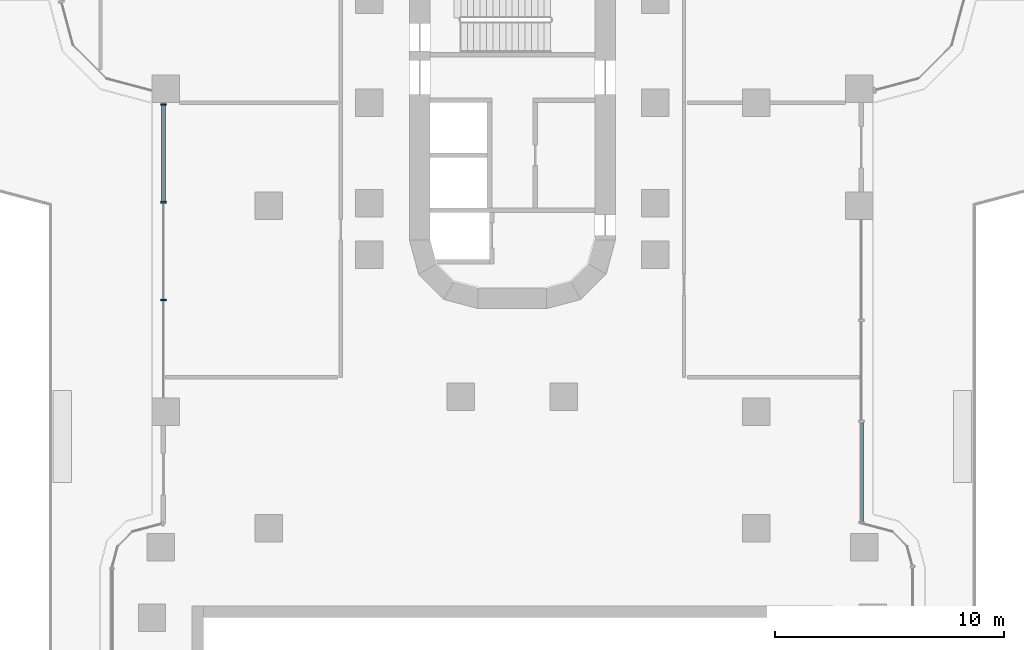
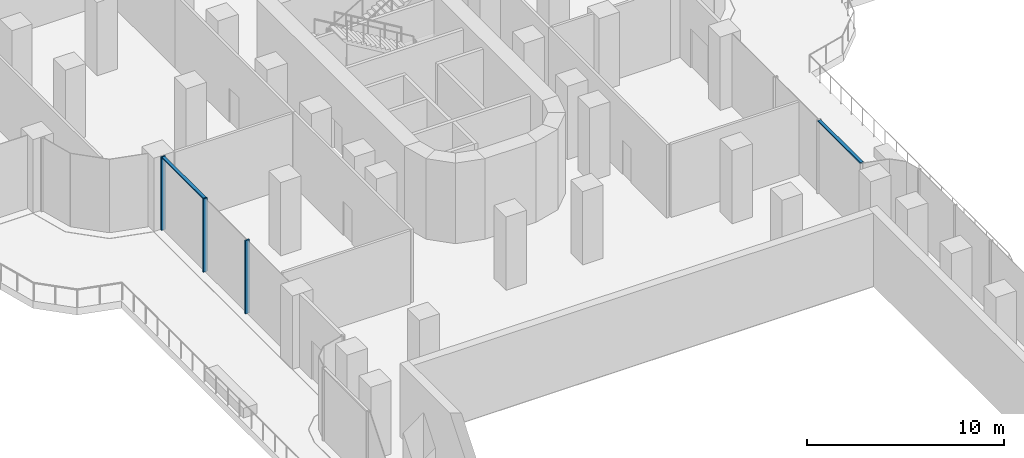
# One storey, part 3 of 27: 5 members, 2 elements without a shape of their own.
"""IFC4 building model written with IfcOpenShell, lengths in metres."""

from ifc_helpers import new_model, si_unit, direction, frame, origin, place, context, subcontext, project, spatial, polyline, outline, extrude, source, transform, mapped, material, type_object, element, aggregate, save


model = new_model("IFC4")

# Units and contexts
model_context = context("Model", 3, precision=1e-05, world=origin(), true_north=direction((0.0, 1.0)))
body_context = subcontext(model_context, "Body", "Model", "MODEL_VIEW")
ifc_project = project(units=[si_unit("LENGTHUNIT", "METRE"), si_unit("AREAUNIT", "SQUARE_METRE"), si_unit("VOLUMEUNIT", "CUBIC_METRE"), si_unit("PLANEANGLEUNIT", "RADIAN"), si_unit("MASSUNIT", "GRAM", prefix="KILO")], contexts=[model_context])

# Site, building, storey
site_placement = place(None, origin())
site = spatial("IfcSite", under=ifc_project, at=site_placement, CompositionType="ELEMENT")
building_placement = place(site_placement, origin())
building = spatial("IfcBuilding", under=site, at=building_placement, Name="Zarbagh Exchange Tower", CompositionType="ELEMENT")
storey_placement = place(building_placement, frame((0.0, 0.0, 17.0)))
storey = spatial("IfcBuildingStorey", under=building, at=storey_placement, Name="L03", CompositionType="ELEMENT", Elevation=17.0)

# Curtain wall, members
ifc_material_1 = material(Name="Anodised aluminium frame and glazing", Category="aluminium")
curtain_wall_type = type_object("IfcCurtainWallType", Name="CWC Podium garden-wall glazing", PredefinedType="NOTDEFINED", material=ifc_material_1)
curtain_wall_1_placement = place(storey_placement, origin())
curtain_wall_1 = element("IfcCurtainWall", 1, at=curtain_wall_1_placement, inside=storey, type_object=curtain_wall_type, Name="CWC186 curtain wall", PredefinedType="NOTDEFINED")
ifc_material_2 = material(Name="Anodised aluminium frame", Category="aluminium")
member_type_1 = type_object("IfcMemberType", Name="MUC Mullion, anodised aluminium frame", PredefinedType="MULLION", material=ifc_material_2)
shared_shape_1 = source(origin(), body_context, "Body", "SweptSolid", [
    extrude(outline(polyline([(0.0, -0.125), (0.080078125, -0.125), (0.080078125, 0.125), (0.0, 0.125), (0.0, -0.125)])), origin(), (0.0, 0.0, 1.0), 4.550048828125),
])
placement = place(storey_placement, origin())
member_1 = element("IfcMember", 2, at=placement, type_object=member_type_1, Name="CWC186 mullion 1.1", PredefinedType="MULLION", context=body_context, shape_type="MappedRepresentation", body=[
    mapped(shared_shape_1, transform((-15.25, -20.2900390625, 0.0), x_axis=(0.0, -1.0, 0.0), y_axis=(1.0, 0.0, 0.0), z_axis=(0.0, 0.0, 1.0))),
])
member_2 = element("IfcMember", 3, at=placement, type_object=member_type_1, Name="CWC186 mullion 1.2", PredefinedType="MULLION", context=body_context, shape_type="MappedRepresentation", body=[
    mapped(shared_shape_1, transform((-15.25, -24.5634765625, 0.0), x_axis=(0.0, -1.0, 0.0), y_axis=(1.0, 0.0, 0.0), z_axis=(0.0, 0.0, 1.0))),
])
member_3 = element("IfcMember", 4, at=placement, type_object=member_type_1, Name="CWC186 mullion 1.3", PredefinedType="MULLION", context=body_context, shape_type="MappedRepresentation", body=[
    mapped(shared_shape_1, transform((-15.25, -28.836669921875, 0.0), x_axis=(0.0, -1.0, 0.0), y_axis=(1.0, 0.0, 0.0), z_axis=(0.0, 0.0, 1.0))),
])
member_type_2 = type_object("IfcMemberType", Name="TRC Transom, anodised aluminium frame", PredefinedType="USERDEFINED", material=ifc_material_2)
shared_shape_2 = source(origin(), body_context, "Body", "SweptSolid", [
    extrude(outline(polyline([(-0.080078125, -0.090087890625), (0.0, -0.090087890625), (0.0, 0.090087890625), (-0.080078125, 0.090087890625), (-0.080078125, -0.090087890625)])), origin(), (0.0, 0.0, 1.0), 4.193359375),
])
member_4 = element("IfcMember", 5, at=placement, type_object=member_type_2, Name="CWC186 transom 1.1", ObjectType="TRANSOM", PredefinedType="USERDEFINED", context=body_context, shape_type="MappedRepresentation", body=[
    mapped(shared_shape_2, transform((-15.25, -20.3701171875, 4.550048828125), x_axis=(0.0, 0.0, 1.0), y_axis=(-1.0, 0.0, 0.0), z_axis=(0.0, -1.0, 0.0))),
])
aggregate(curtain_wall_1, [member_1, member_4, member_2, member_3])

# Curtain wall, member
curtain_wall_2_placement = place(storey_placement, origin())
curtain_wall_2 = element("IfcCurtainWall", 6, at=curtain_wall_2_placement, inside=storey, type_object=curtain_wall_type, Name="CWC146 curtain wall", PredefinedType="NOTDEFINED")
shared_shape_3 = source(origin(), body_context, "Body", "SweptSolid", [
    extrude(outline(polyline([(-0.080078125, -0.090087890625), (0.0, -0.090087890625), (0.0, 0.090087890625), (-0.080078125, 0.090087890625), (-0.080078125, -0.090087890625)])), origin(), (0.0, 0.0, 1.0), 4.33447265625),
])
member_5 = element("IfcMember", 7, at=placement, type_object=member_type_2, Name="CWC146 transom 1.1", ObjectType="TRANSOM", PredefinedType="USERDEFINED", context=body_context, shape_type="MappedRepresentation", body=[
    mapped(shared_shape_3, transform((15.25, -38.5537109375, 4.550048828125), x_axis=(0.0, 0.0, 1.0), y_axis=(1.0, 0.0, 0.0), z_axis=(0.0, 1.0, 0.0))),
])
aggregate(curtain_wall_2, [member_5])

save(model, "model.ifc")
